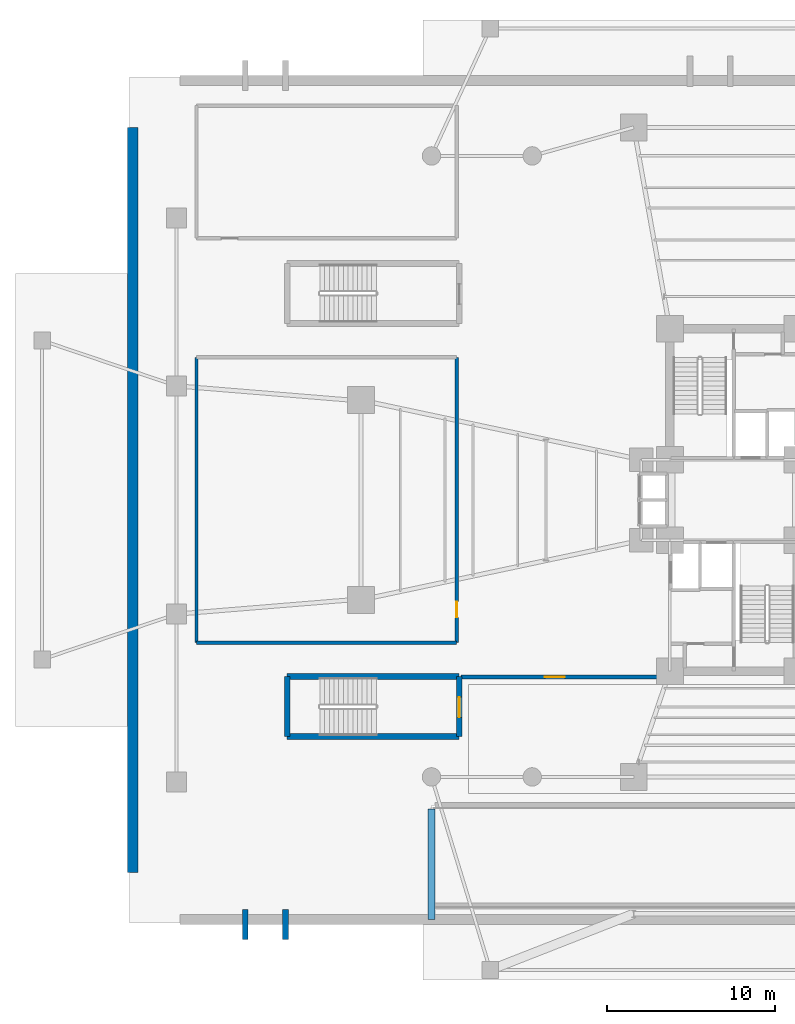
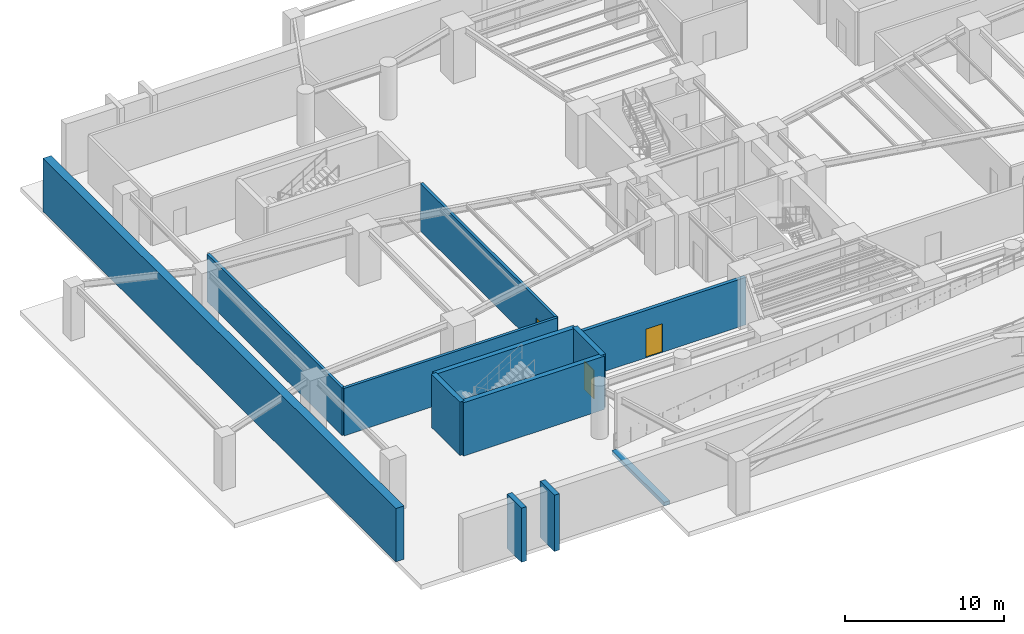
# One storey, part 7 of 14: 12 walls, 3 doors, 3 openings.
"""IFC4 building model written with IfcOpenShell, lengths in metres."""

import ifcopenshell
import ifcopenshell.guid

model = None  # the IFC model being written
_history = None  # IfcOwnerHistory: only IFC2X3 demands one
_inside = {}  # id of a spatial element -> (the spatial element, [elements in it])
_under = {}  # id of a project, library or spatial element -> (it, [spatial elements below it])
_declared = {}  # id of a project -> (the project, [libraries it declares])
_typed = {}  # id of a type object -> (the type object, [elements of that type])
_made_of = {}  # id of a material, layer set ... -> (it, [elements and type objects made of it])


def new_model(schema):
    """Start an empty IFC model of exactly this schema.

    Asked for "IFC4X3", IfcOpenShell would pick the latest addendum, in which some entities
    have other attributes; the version numbers below select the first issue.
    IFC2X3 requires an IfcOwnerHistory on every rooted entity: one is made here for all.
    """
    global model, _history
    if schema == "IFC4X3":
        model = ifcopenshell.file(schema_version=(4, 3, 0, 0))
    else:
        model = ifcopenshell.file(schema=schema)
    _inside.clear()
    _under.clear()
    _declared.clear()
    _typed.clear()
    _made_of.clear()
    _history = None
    if model.schema == "IFC2X3":
        org = make("IfcOrganization", Name="unknown")
        user = make(
            "IfcPersonAndOrganization",
            ThePerson=make("IfcPerson", FamilyName="unknown"),
            TheOrganization=org,
        )
        app = make(
            "IfcApplication",
            ApplicationDeveloper=org,
            Version="unknown",
            ApplicationFullName="unknown",
            ApplicationIdentifier="unknown",
        )
        _history = make(
            "IfcOwnerHistory",
            OwningUser=user,
            OwningApplication=app,
            ChangeAction="ADDED",
            CreationDate=0,
        )
    return model


def make(cls, **values):
    """One entity of the class cls with the attributes given. An attribute that is None is left unset."""
    return model.create_entity(
        cls, **{name: value for name, value in values.items() if value is not None}
    )


def rooted(cls, **values):
    """An entity with a GlobalId (a new one), such as an element, a storey or a relation."""
    return make(cls, GlobalId=ifcopenshell.guid.new(), OwnerHistory=_history, **values)


def si_unit(unit_type, name, prefix=None):
    """IfcSIUnit, for example si_unit("LENGTHUNIT", "METRE", prefix="MILLI")."""
    return make("IfcSIUnit", UnitType=unit_type, Prefix=prefix, Name=name)


def assignment(units):
    """IfcUnitAssignment: the units of a project."""
    return None if units is None else make("IfcUnitAssignment", Units=units)


def point(xyz):
    """IfcCartesianPoint."""
    return None if xyz is None else make("IfcCartesianPoint", Coordinates=xyz)


def direction(xyz):
    """IfcDirection."""
    return None if xyz is None else make("IfcDirection", DirectionRatios=xyz)


def frame(location, z_axis=None, x_axis=None):
    """IfcAxis2Placement3D, a coordinate frame: its origin and axes. An axis left out is left unset."""
    return make(
        "IfcAxis2Placement3D",
        Location=point(location),
        Axis=direction(z_axis),
        RefDirection=direction(x_axis),
    )


def frame_2d(location, x_axis=None):
    """IfcAxis2Placement2D, a coordinate frame in the plane: its origin and x axis."""
    return make(
        "IfcAxis2Placement2D", Location=point(location), RefDirection=direction(x_axis)
    )


def origin():
    """The frame at (0, 0, 0) with its axes left unset."""
    return frame((0.0, 0.0, 0.0))


def origin_2d():
    """The frame at (0, 0) in the plane with its x axis left unset."""
    return frame_2d((0.0, 0.0))


def place(relative_to, where):
    """IfcLocalPlacement: puts the frame where relative to a parent placement (None: the world)."""
    return make(
        "IfcLocalPlacement", PlacementRelTo=relative_to, RelativePlacement=where
    )


def context(
    kind, dimensions, precision=None, world=None, true_north=None, identifier=None
):
    """IfcGeometricRepresentationContext, for example the 3D "Model" context."""
    return make(
        "IfcGeometricRepresentationContext",
        ContextIdentifier=identifier,
        ContextType=kind,
        CoordinateSpaceDimension=dimensions,
        Precision=precision,
        WorldCoordinateSystem=world,
        TrueNorth=true_north,
    )


def subcontext(parent, identifier, kind, view, scale=None):
    """IfcGeometricRepresentationSubContext, for example "Body" below "Model"."""
    return make(
        "IfcGeometricRepresentationSubContext",
        ContextIdentifier=identifier,
        ContextType=kind,
        ParentContext=parent,
        TargetScale=scale,
        TargetView=view,
    )


def project(units=None, contexts=None):
    """IfcProject with its units and contexts."""
    return rooted(
        "IfcProject",
        Name="project",
        RepresentationContexts=contexts,
        UnitsInContext=assignment(units),
    )


def spatial(cls, under=None, at=None, **own):
    """A site, building, storey or space (cls), placed at a placement, below another one or the project."""
    s = rooted(cls, ObjectPlacement=at, **own)
    if under is not None:
        _under.setdefault(under.id(), (under, []))[1].append(s)
    return s


def profile(cls, at=None, kind="AREA", **sizes):
    """A parametric profile (cls). Its sizes go by their IFC names, for example OverallWidth=200.0."""
    return make(cls, ProfileType=kind, Position=at, **sizes)


def rectangle(**sizes):
    """IfcRectangleProfileDef."""
    return profile("IfcRectangleProfileDef", **sizes)


def extrude(swept, where, along, depth):
    """IfcExtrudedAreaSolid: the profile swept, set in the frame where, extruded along a direction by depth."""
    return make(
        "IfcExtrudedAreaSolid",
        SweptArea=swept,
        Position=where,
        ExtrudedDirection=direction(along),
        Depth=depth,
    )


def shape(context_of_items, identifier, shape_type, items):
    """IfcShapeRepresentation: the items that make up one representation, for example the "Body"."""
    return make(
        "IfcShapeRepresentation",
        ContextOfItems=context_of_items,
        RepresentationIdentifier=identifier,
        RepresentationType=shape_type,
        Items=items,
    )


def source(mapping_origin, context_of_items, identifier, shape_type, items):
    """IfcRepresentationMap: a shape defined once, which mapped items show again and again."""
    return make(
        "IfcRepresentationMap",
        MappingOrigin=mapping_origin,
        MappedRepresentation=shape(context_of_items, identifier, shape_type, items),
    )


def transform(
    local_origin,
    x_axis=None,
    y_axis=None,
    z_axis=None,
    scale=None,
    scale2=None,
    scale3=None,
    uniform=True,
):
    """IfcCartesianTransformationOperator3D, or its non-uniform kind. x_axis, y_axis, z_axis: its Axis1, 2, 3."""
    if uniform:
        return make(
            "IfcCartesianTransformationOperator3D",
            Axis1=direction(x_axis),
            Axis2=direction(y_axis),
            LocalOrigin=point(local_origin),
            Scale=scale,
            Axis3=direction(z_axis),
        )
    return make(
        "IfcCartesianTransformationOperator3DnonUniform",
        Axis1=direction(x_axis),
        Axis2=direction(y_axis),
        LocalOrigin=point(local_origin),
        Scale=scale,
        Axis3=direction(z_axis),
        Scale2=scale2,
        Scale3=scale3,
    )


def mapped(mapping_source, mapping_target):
    """IfcMappedItem: shows the shape of a source again, moved by a transform."""
    return make(
        "IfcMappedItem", MappingSource=mapping_source, MappingTarget=mapping_target
    )


def material(Name=None, Category=None):
    """IfcMaterial."""
    return make("IfcMaterial", Name=Name, Category=Category)


def layer(
    of_material, thickness, ventilated=None, Name=None, Category=None, Priority=None
):
    """IfcMaterialLayer: one layer of a wall or slab, of a material (None: an air gap)."""
    return make(
        "IfcMaterialLayer",
        Material=of_material,
        LayerThickness=thickness,
        IsVentilated=ventilated,
        Name=Name,
        Category=Category,
        Priority=Priority,
    )


def layer_set(layers, Name=None):
    """IfcMaterialLayerSet."""
    return make("IfcMaterialLayerSet", MaterialLayers=layers, LayerSetName=Name)


def made_of(thing, what):
    """Note that an element or type object is made of a material, layer set ...; save() writes the relation."""
    if what is not None:
        _made_of.setdefault(what.id(), (what, []))[1].append(thing)
    return thing


def type_object(cls, material=None, **own):
    """A type object (cls), such as IfcWallType, which elements share."""
    return made_of(rooted(cls, **own), material)


def element(
    cls,
    number,
    at=None,
    inside=None,
    cuts=None,
    type_object=None,
    material=None,
    context=None,
    identifier="Body",
    shape_type=None,
    held_by="IfcProductDefinitionShape",
    body=None,
    shapes=None,
    **own,
):
    """One element of the class cls, such as IfcWall. Its Tag is "e" and its number.

    at: its placement. inside: the storey or other place that contains it. cuts: it is an
    opening in that element (IfcRelVoidsElement). A single representation is given by context,
    identifier, shape_type and body (its items); several are given by shapes. held_by: the class
    of the entity that holds the representations. save() writes the other relations.
    """
    e = rooted(cls, Tag="e%d" % number, ObjectPlacement=at, **own)
    if body is not None:
        shapes = [shape(context, identifier, shape_type, body)]
    if shapes is not None:
        e.Representation = make(held_by, Representations=shapes)
    if inside is not None:
        _inside.setdefault(inside.id(), (inside, []))[1].append(e)
    if cuts is not None:
        rooted(
            "IfcRelVoidsElement", RelatingBuildingElement=cuts, RelatedOpeningElement=e
        )
    if type_object is not None:
        _typed.setdefault(type_object.id(), (type_object, []))[1].append(e)
    return made_of(e, material)


def fill(opening, filler):
    """IfcRelFillsElement: the door or window that sits in an opening."""
    return rooted(
        "IfcRelFillsElement",
        RelatingOpeningElement=opening,
        RelatedBuildingElement=filler,
    )


def aggregate(whole, parts):
    """IfcRelAggregates: a whole, such as a stair, and the parts it consists of."""
    return rooted("IfcRelAggregates", RelatingObject=whole, RelatedObjects=parts)


def save(model, path):
    """Write the relations noted so far, then the file.

    IfcRelAggregates (storeys below a building ...), IfcRelContainedInSpatialStructure (elements
    in a storey), IfcRelDefinesByType, IfcRelAssociatesMaterial and IfcRelDeclares: one each for
    every whole, place, type object, material and project.
    """
    for whole, parts in _under.values():
        aggregate(whole, parts)
    for where, things in _inside.values():
        rooted(
            "IfcRelContainedInSpatialStructure",
            RelatedElements=things,
            RelatingStructure=where,
        )
    for kind, things in _typed.values():
        rooted("IfcRelDefinesByType", RelatedObjects=things, RelatingType=kind)
    for what, things in _made_of.values():
        rooted("IfcRelAssociatesMaterial", RelatedObjects=things, RelatingMaterial=what)
    for by, libraries in _declared.values():
        rooted("IfcRelDeclares", RelatingContext=by, RelatedDefinitions=libraries)
    model.write(path)


model = new_model("IFC4")

# Units and contexts
model_context = context("Model", 3, precision=1e-05, world=origin(), true_north=direction((0.0, 1.0)))
body_context = subcontext(model_context, "Body", "Model", "MODEL_VIEW")
ifc_project = project(units=[si_unit("LENGTHUNIT", "METRE"), si_unit("AREAUNIT", "SQUARE_METRE"), si_unit("VOLUMEUNIT", "CUBIC_METRE"), si_unit("PLANEANGLEUNIT", "RADIAN"), si_unit("MASSUNIT", "GRAM", prefix="KILO")], contexts=[model_context])

# Site, building, storey
site_placement = place(None, origin())
site = spatial("IfcSite", under=ifc_project, at=site_placement, CompositionType="ELEMENT")
building_placement = place(site_placement, origin())
building = spatial("IfcBuilding", under=site, at=building_placement, Name="Sahyath Konkavel Grand Hotel", CompositionType="ELEMENT")
storey_placement = place(building_placement, frame((0.0, 0.0, -4.5)))
storey = spatial("IfcBuildingStorey", under=building, at=storey_placement, Name="B1", CompositionType="ELEMENT", Elevation=-4.5)

# Walls
ifc_material_1 = material(Name="Concrete C50/60", Category="concrete")
ifc_layer_1 = layer(ifc_material_1, 0.60009765625)
ifc_layer_set_1 = layer_set([ifc_layer_1], Name="Concrete C50/60")
wall_type_1 = type_object("IfcWallType", Name="BWALL-600", PredefinedType="SOLIDWALL", material=ifc_layer_set_1)
wall_1_placement = place(storey_placement, frame((-35.800048828125, 22.199951171875, 0.0), z_axis=(0.0, 0.0, 1.0), x_axis=(0.0, -1.0, 0.0)))
element("IfcWall", 1, at=wall_1_placement, inside=storey, type_object=wall_type_1, Name="B1 Perimeter Retaining Wall W", PredefinedType="SOLIDWALL", context=body_context, shape_type="SweptSolid", body=[
    extrude(rectangle(XDim=44.39990234375, YDim=0.60009765625, at=frame_2d((22.199951171875, 0.0))), origin(), (0.0, 0.0, 1.0), 4.10009765625),
])
ifc_material_2 = material(Name="Concrete C40/50", Category="concrete")
ifc_layer_2 = layer(ifc_material_2, 0.35009765625)
ifc_layer_set_2 = layer_set([ifc_layer_2], Name="Concrete C40/50")
wall_type_2 = type_object("IfcWallType", Name="CWALL-350", PredefinedType="SHEAR", material=ifc_layer_set_2)
wall_2_placement = place(storey_placement, frame((-29.10009765625, -26.199951171875, 0.0), z_axis=(0.0, 0.0, 1.0), x_axis=(0.0, 1.0, 0.0)))
element("IfcWall", 2, at=wall_2_placement, inside=storey, type_object=wall_type_2, Name="B1 Pedestrian Ramp Bearing Wall PR3-A", PredefinedType="SHEAR", context=body_context, shape_type="SweptSolid", body=[
    extrude(rectangle(XDim=1.800048828125, YDim=0.35009765625, at=frame_2d((0.89990234375, 0.0))), origin(), (0.0, 0.0, 1.0), 4.169921875),
])
wall_3_placement = place(storey_placement, frame((-26.699951171875, -26.199951171875, 0.0), z_axis=(0.0, 0.0, 1.0), x_axis=(0.0, 1.0, 0.0)))
element("IfcWall", 3, at=wall_3_placement, inside=storey, type_object=wall_type_2, Name="B1 Pedestrian Ramp Bearing Wall PR3-B", PredefinedType="SHEAR", context=body_context, shape_type="SweptSolid", body=[
    extrude(rectangle(XDim=1.800048828125, YDim=0.35009765625, at=frame_2d((0.89990234375, 0.0))), origin(), (0.0, 0.0, 1.0), 4.320068359375),
])
for number, where, z_axis, x_axis, name in (
    (4, (-26.60009765625, -10.52001953125, 0.0), (0.0, 0.0, 1.0), (1.0, 0.0, 0.0), "B1 Partition ST-P3-N"),
    (5, (-26.60009765625, -14.10009765625, 0.0), (0.0, 0.0, 1.0), (1.0, 0.0, 0.0), "B1 Partition ST-P3-S"),
):
    element("IfcWall", number, at=place(storey_placement, frame(where, z_axis=z_axis, x_axis=x_axis)), inside=storey, type_object=wall_type_2, Name=name, PredefinedType="SHEAR", context=body_context, shape_type="SweptSolid", body=[
        extrude(rectangle(XDim=10.25, YDim=0.35009765625, at=frame_2d((5.125, 0.0))), origin(), (0.0, 0.0, 1.0), 4.10009765625),
    ])
wall_4_placement = place(storey_placement, frame((-26.60009765625, -14.10009765625, 0.0), z_axis=(0.0, 0.0, 1.0), x_axis=(0.0, 1.0, 0.0)))
element("IfcWall", 6, at=wall_4_placement, inside=storey, type_object=wall_type_2, Name="B1 Partition ST-P3-W", PredefinedType="SHEAR", context=body_context, shape_type="SweptSolid", body=[
    extrude(rectangle(XDim=3.580078125, YDim=0.35009765625, at=frame_2d((1.7900390625, 0.0))), origin(), (0.0, 0.0, 1.0), 4.10009765625),
])

# Wall, opening, door
wall_5_placement = place(storey_placement, frame((-16.35009765625, -14.10009765625, 0.0), z_axis=(0.0, 0.0, 1.0), x_axis=(0.0, 1.0, 0.0)))
wall_5 = element("IfcWall", 7, at=wall_5_placement, inside=storey, type_object=wall_type_2, Name="B1 Partition ST-P3-E", PredefinedType="SHEAR", context=body_context, shape_type="SweptSolid", body=[
    extrude(rectangle(XDim=3.580078125, YDim=0.35009765625, at=frame_2d((1.7900390625, 0.0))), origin(), (0.0, 0.0, 1.0), 4.10009765625),
])
opening_1_placement = place(wall_5_placement, frame((1.14990234375, 0.0, 0.0)))
opening_1 = element("IfcOpeningElement", 8, at=opening_1_placement, cuts=wall_5, Name="Opening D-F12A", PredefinedType="OPENING", context=body_context, shape_type="SweptSolid", body=[
    extrude(rectangle(XDim=1.199951171875, YDim=2.199951171875, at=frame_2d((0.60009765625, 1.10009765625))), frame((0.0, 0.18505859375, 0.0), z_axis=(0.0, -1.0, 0.0), x_axis=(1.0, 0.0, 0.0)), (0.0, 0.0, 1.0), 0.3701171875),
])
ifc_material_3 = material(Name="Steel E350 Fire Door", Category="steel")
door_type_1 = type_object("IfcDoorType", Name="DR-FD120-1200", OperationType="NOTDEFINED", PredefinedType="DOOR", material=ifc_material_3)
shared_shape_1 = source(origin(), body_context, "Body", "SweptSolid", [
    extrude(rectangle(XDim=1.199951171875, YDim=0.050048828125, at=origin_2d()), origin(), (0.0, 0.0, 1.0), 2.199951171875),
])
door_1_placement = place(opening_1_placement, frame((0.60009765625, 0.0, 0.0)))
door_1 = element("IfcDoor", 9, at=door_1_placement, inside=storey, type_object=door_type_1, Name="B1 ST-P3 Fire Door", OperationType="SINGLE_SWING_LEFT", OverallHeight=2.199951171875, OverallWidth=1.199951171875, PredefinedType="DOOR", context=body_context, shape_type="MappedRepresentation", body=[
    mapped(shared_shape_1, transform((0.0, 0.0, 0.0), scale=1.0)),
])
fill(opening_1, door_1)

# Walls
ifc_layer_3 = layer(ifc_material_1, 0.419921875)
ifc_layer_set_3 = layer_set([ifc_layer_3], Name="Concrete C50/60")
wall_type_3 = type_object("IfcWallType", Name="CWALL-420", PredefinedType="SHEAR", material=ifc_layer_set_3)
wall_6_placement = place(storey_placement, frame((-18.0, -25.0, -0.280029296875), z_axis=(0.0, 0.0, 1.0), x_axis=(0.0, 1.0, 0.0)))
element("IfcWall", 10, at=wall_6_placement, inside=storey, type_object=wall_type_3, Name="Vehicle Ramp Bearing Wall VR-B1-TOPW", PredefinedType="SHEAR", context=body_context, shape_type="SweptSolid", body=[
    extrude(rectangle(XDim=6.60009765625, YDim=0.419921875, at=frame_2d((3.300048828125, 0.0))), origin(), (0.0, 0.0, 1.0), 0.280029296875),
])
ifc_layer_4 = layer(ifc_material_2, 0.199951171875)
ifc_layer_set_4 = layer_set([ifc_layer_4], Name="Concrete C40/50")
wall_type_4 = type_object("IfcWallType", Name="WLL-CORE-200", PredefinedType="SOLIDWALL", material=ifc_layer_set_4)
wall_7_placement = place(storey_placement, frame((-32.0, -8.5, 0.0), z_axis=(0.0, 0.0, 1.0), x_axis=(1.0, 0.0, 0.0)))
element("IfcWall", 11, at=wall_7_placement, inside=storey, type_object=wall_type_4, Name="B1 Partition B1-CHIL-S", PredefinedType="SOLIDWALL", context=body_context, shape_type="SweptSolid", body=[
    extrude(rectangle(XDim=15.5, YDim=0.199951171875, at=frame_2d((7.75, 0.0))), origin(), (0.0, 0.0, 1.0), 3.64990234375),
])
wall_8_placement = place(storey_placement, frame((-32.0, -8.5, 0.0), z_axis=(0.0, 0.0, 1.0), x_axis=(0.0, 1.0, 0.0)))
element("IfcWall", 12, at=wall_8_placement, inside=storey, type_object=wall_type_4, Name="B1 Partition B1-CHIL-W", PredefinedType="SOLIDWALL", context=body_context, shape_type="SweptSolid", body=[
    extrude(rectangle(XDim=17.0, YDim=0.199951171875, at=frame_2d((8.5, 0.0))), origin(), (0.0, 0.0, 1.0), 3.64990234375),
])

# Wall, opening, door
wall_9_placement = place(storey_placement, frame((-16.5, -8.5, 0.0), z_axis=(0.0, 0.0, 1.0), x_axis=(0.0, 1.0, 0.0)))
wall_9 = element("IfcWall", 13, at=wall_9_placement, inside=storey, type_object=wall_type_4, Name="B1 Partition B1-CHIL-E", PredefinedType="SOLIDWALL", context=body_context, shape_type="SweptSolid", body=[
    extrude(rectangle(XDim=17.0, YDim=0.199951171875, at=frame_2d((8.5, 0.0))), origin(), (0.0, 0.0, 1.0), 3.64990234375),
])
opening_2_placement = place(wall_9_placement, frame((1.5, 0.0, 0.0)))
opening_2 = element("IfcOpeningElement", 14, at=opening_2_placement, cuts=wall_9, Name="Opening D-F06B", PredefinedType="OPENING", context=body_context, shape_type="SweptSolid", body=[
    extrude(rectangle(XDim=0.949951171875, YDim=2.14990234375, at=frame_2d((0.47509765625, 1.074951171875))), frame((0.0, 0.10986328125, 0.0), z_axis=(0.0, -1.0, 0.0), x_axis=(1.0, 0.0, 0.0)), (0.0, 0.0, 1.0), 0.219970703125),
])
ifc_material_4 = material(Name="Teak Veneer Fire-Rated Guest Entrance Door")
door_type_2 = type_object("IfcDoorType", Name="DR-FD60-950", OperationType="NOTDEFINED", PredefinedType="DOOR", material=ifc_material_4)
shared_shape_2 = source(origin(), body_context, "Body", "SweptSolid", [
    extrude(rectangle(XDim=0.949951171875, YDim=0.050048828125, at=origin_2d()), origin(), (0.0, 0.0, 1.0), 2.14990234375),
])
door_2_placement = place(opening_2_placement, frame((0.47509765625, 0.0, 0.0)))
door_2 = element("IfcDoor", 15, at=door_2_placement, inside=storey, type_object=door_type_2, Name="B1 Door B1-CHIL-D", OperationType="SINGLE_SWING_LEFT", OverallHeight=2.14990234375, OverallWidth=0.949951171875, PredefinedType="DOOR", context=body_context, shape_type="MappedRepresentation", body=[
    mapped(shared_shape_2, transform((0.0, 0.0, 0.0), scale=1.0)),
])
fill(opening_2, door_2)

ifc_layer_5 = layer(ifc_material_2, 0.25)
ifc_layer_set_5 = layer_set([ifc_layer_5], Name="Concrete C40/50")
wall_type_5 = type_object("IfcWallType", Name="WLL-FIRE-240", PredefinedType="SOLIDWALL", material=ifc_layer_set_5)
wall_10_placement = place(storey_placement, frame((-16.25, -10.550048828125, 0.0), z_axis=(0.0, 0.0, 1.0), x_axis=(1.0, 0.0, 0.0)))
wall_10 = element("IfcWall", 16, at=wall_10_placement, inside=storey, type_object=wall_type_5, Name="B1 Partition METRO-BAR-W", PredefinedType="SOLIDWALL", context=body_context, shape_type="SweptSolid", body=[
    extrude(rectangle(XDim=12.25, YDim=0.25, at=frame_2d((6.125, 0.0))), origin(), (0.0, 0.0, 1.0), 3.64990234375),
])
opening_3_placement = place(wall_10_placement, frame((5.0, 0.0, 0.0)))
opening_3 = element("IfcOpeningElement", 17, at=opening_3_placement, cuts=wall_10, Name="Opening D-F12A", PredefinedType="OPENING", context=body_context, shape_type="SweptSolid", body=[
    extrude(rectangle(XDim=1.199951171875, YDim=2.199951171875, at=frame_2d((0.60009765625, 1.10009765625))), frame((0.0, 0.135009765625, 0.0), z_axis=(0.0, -1.0, 0.0), x_axis=(1.0, 0.0, 0.0)), (0.0, 0.0, 1.0), 0.27001953125),
])
door_3_placement = place(opening_3_placement, frame((0.60009765625, 0.0, 0.0)))
door_3 = element("IfcDoor", 18, at=door_3_placement, inside=storey, type_object=door_type_1, Name="B1 Door METRO-LOCK-W", OperationType="SINGLE_SWING_LEFT", OverallHeight=2.199951171875, OverallWidth=1.199951171875, PredefinedType="DOOR", context=body_context, shape_type="MappedRepresentation", body=[
    mapped(shared_shape_1, transform((0.0, 0.0, 0.0), scale=1.0)),
])
fill(opening_3, door_3)

save(model, "model.ifc")
